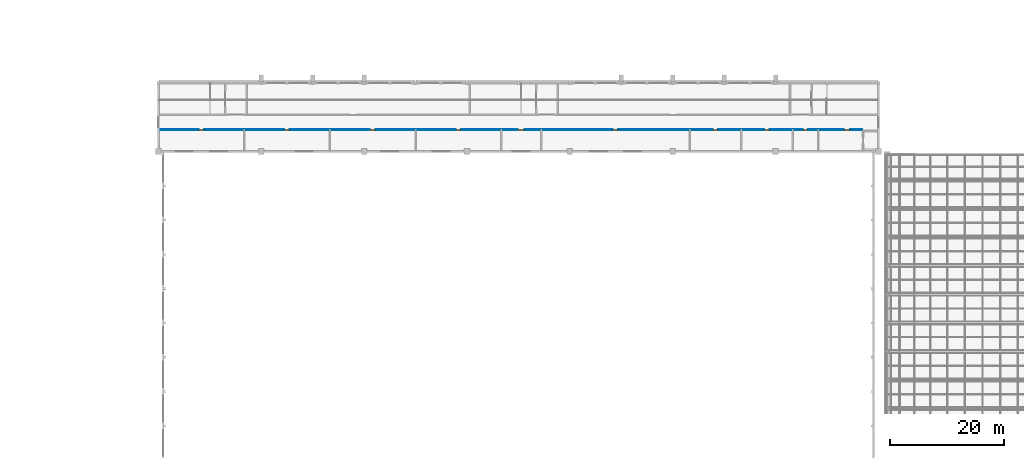
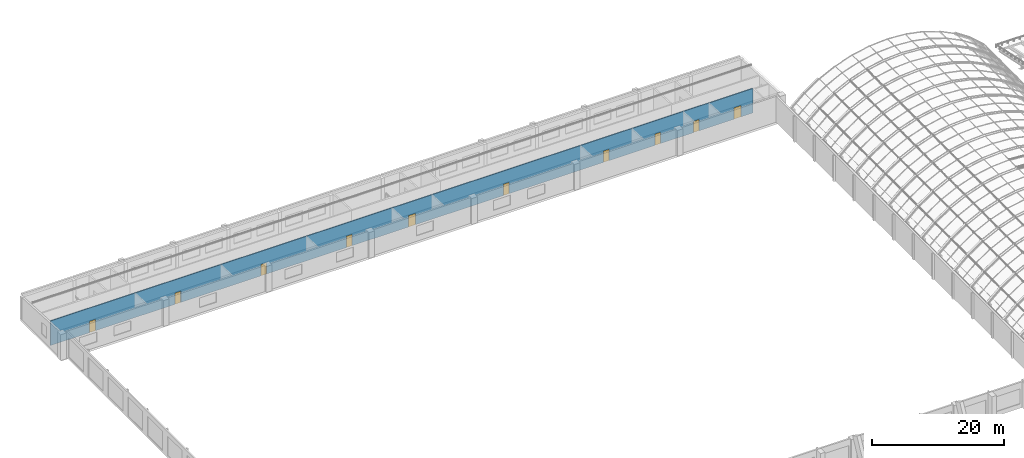
# One storey, part 140 of 182: 10 doors, 1 wall, 10 openings.
"""IFC4 building model written with IfcOpenShell, lengths in metres."""

import ifcopenshell
import ifcopenshell.guid

model = None  # the IFC model being written
_history = None  # IfcOwnerHistory: only IFC2X3 demands one
_inside = {}  # id of a spatial element -> (the spatial element, [elements in it])
_under = {}  # id of a project, library or spatial element -> (it, [spatial elements below it])
_declared = {}  # id of a project -> (the project, [libraries it declares])
_typed = {}  # id of a type object -> (the type object, [elements of that type])
_made_of = {}  # id of a material, layer set ... -> (it, [elements and type objects made of it])


def new_model(schema):
    """Start an empty IFC model of exactly this schema.

    Asked for "IFC4X3", IfcOpenShell would pick the latest addendum, in which some entities
    have other attributes; the version numbers below select the first issue.
    IFC2X3 requires an IfcOwnerHistory on every rooted entity: one is made here for all.
    """
    global model, _history
    if schema == "IFC4X3":
        model = ifcopenshell.file(schema_version=(4, 3, 0, 0))
    else:
        model = ifcopenshell.file(schema=schema)
    _inside.clear()
    _under.clear()
    _declared.clear()
    _typed.clear()
    _made_of.clear()
    _history = None
    if model.schema == "IFC2X3":
        org = make("IfcOrganization", Name="unknown")
        user = make(
            "IfcPersonAndOrganization",
            ThePerson=make("IfcPerson", FamilyName="unknown"),
            TheOrganization=org,
        )
        app = make(
            "IfcApplication",
            ApplicationDeveloper=org,
            Version="unknown",
            ApplicationFullName="unknown",
            ApplicationIdentifier="unknown",
        )
        _history = make(
            "IfcOwnerHistory",
            OwningUser=user,
            OwningApplication=app,
            ChangeAction="ADDED",
            CreationDate=0,
        )
    return model


def make(cls, **values):
    """One entity of the class cls with the attributes given. An attribute that is None is left unset."""
    return model.create_entity(
        cls, **{name: value for name, value in values.items() if value is not None}
    )


def rooted(cls, **values):
    """An entity with a GlobalId (a new one), such as an element, a storey or a relation."""
    return make(cls, GlobalId=ifcopenshell.guid.new(), OwnerHistory=_history, **values)


def si_unit(unit_type, name, prefix=None):
    """IfcSIUnit, for example si_unit("LENGTHUNIT", "METRE", prefix="MILLI")."""
    return make("IfcSIUnit", UnitType=unit_type, Prefix=prefix, Name=name)


def assignment(units):
    """IfcUnitAssignment: the units of a project."""
    return None if units is None else make("IfcUnitAssignment", Units=units)


def point(xyz):
    """IfcCartesianPoint."""
    return None if xyz is None else make("IfcCartesianPoint", Coordinates=xyz)


def direction(xyz):
    """IfcDirection."""
    return None if xyz is None else make("IfcDirection", DirectionRatios=xyz)


def frame(location, z_axis=None, x_axis=None):
    """IfcAxis2Placement3D, a coordinate frame: its origin and axes. An axis left out is left unset."""
    return make(
        "IfcAxis2Placement3D",
        Location=point(location),
        Axis=direction(z_axis),
        RefDirection=direction(x_axis),
    )


def frame_2d(location, x_axis=None):
    """IfcAxis2Placement2D, a coordinate frame in the plane: its origin and x axis."""
    return make(
        "IfcAxis2Placement2D", Location=point(location), RefDirection=direction(x_axis)
    )


def origin():
    """The frame at (0, 0, 0) with its axes left unset."""
    return frame((0.0, 0.0, 0.0))


def place(relative_to, where):
    """IfcLocalPlacement: puts the frame where relative to a parent placement (None: the world)."""
    return make(
        "IfcLocalPlacement", PlacementRelTo=relative_to, RelativePlacement=where
    )


def context(
    kind, dimensions, precision=None, world=None, true_north=None, identifier=None
):
    """IfcGeometricRepresentationContext, for example the 3D "Model" context."""
    return make(
        "IfcGeometricRepresentationContext",
        ContextIdentifier=identifier,
        ContextType=kind,
        CoordinateSpaceDimension=dimensions,
        Precision=precision,
        WorldCoordinateSystem=world,
        TrueNorth=true_north,
    )


def subcontext(parent, identifier, kind, view, scale=None):
    """IfcGeometricRepresentationSubContext, for example "Body" below "Model"."""
    return make(
        "IfcGeometricRepresentationSubContext",
        ContextIdentifier=identifier,
        ContextType=kind,
        ParentContext=parent,
        TargetScale=scale,
        TargetView=view,
    )


def project(units=None, contexts=None):
    """IfcProject with its units and contexts."""
    return rooted(
        "IfcProject",
        Name="project",
        RepresentationContexts=contexts,
        UnitsInContext=assignment(units),
    )


def spatial(cls, under=None, at=None, **own):
    """A site, building, storey or space (cls), placed at a placement, below another one or the project."""
    s = rooted(cls, ObjectPlacement=at, **own)
    if under is not None:
        _under.setdefault(under.id(), (under, []))[1].append(s)
    return s


def profile(cls, at=None, kind="AREA", **sizes):
    """A parametric profile (cls). Its sizes go by their IFC names, for example OverallWidth=200.0."""
    return make(cls, ProfileType=kind, Position=at, **sizes)


def rectangle(**sizes):
    """IfcRectangleProfileDef."""
    return profile("IfcRectangleProfileDef", **sizes)


def extrude(swept, where, along, depth):
    """IfcExtrudedAreaSolid: the profile swept, set in the frame where, extruded along a direction by depth."""
    return make(
        "IfcExtrudedAreaSolid",
        SweptArea=swept,
        Position=where,
        ExtrudedDirection=direction(along),
        Depth=depth,
    )


def shape(context_of_items, identifier, shape_type, items):
    """IfcShapeRepresentation: the items that make up one representation, for example the "Body"."""
    return make(
        "IfcShapeRepresentation",
        ContextOfItems=context_of_items,
        RepresentationIdentifier=identifier,
        RepresentationType=shape_type,
        Items=items,
    )


def material(Name=None, Category=None):
    """IfcMaterial."""
    return make("IfcMaterial", Name=Name, Category=Category)


def layer(
    of_material, thickness, ventilated=None, Name=None, Category=None, Priority=None
):
    """IfcMaterialLayer: one layer of a wall or slab, of a material (None: an air gap)."""
    return make(
        "IfcMaterialLayer",
        Material=of_material,
        LayerThickness=thickness,
        IsVentilated=ventilated,
        Name=Name,
        Category=Category,
        Priority=Priority,
    )


def layer_set(layers, Name=None):
    """IfcMaterialLayerSet."""
    return make("IfcMaterialLayerSet", MaterialLayers=layers, LayerSetName=Name)


def made_of(thing, what):
    """Note that an element or type object is made of a material, layer set ...; save() writes the relation."""
    if what is not None:
        _made_of.setdefault(what.id(), (what, []))[1].append(thing)
    return thing


def type_object(cls, material=None, **own):
    """A type object (cls), such as IfcWallType, which elements share."""
    return made_of(rooted(cls, **own), material)


def element(
    cls,
    number,
    at=None,
    inside=None,
    cuts=None,
    type_object=None,
    material=None,
    context=None,
    identifier="Body",
    shape_type=None,
    held_by="IfcProductDefinitionShape",
    body=None,
    shapes=None,
    **own,
):
    """One element of the class cls, such as IfcWall. Its Tag is "e" and its number.

    at: its placement. inside: the storey or other place that contains it. cuts: it is an
    opening in that element (IfcRelVoidsElement). A single representation is given by context,
    identifier, shape_type and body (its items); several are given by shapes. held_by: the class
    of the entity that holds the representations. save() writes the other relations.
    """
    e = rooted(cls, Tag="e%d" % number, ObjectPlacement=at, **own)
    if body is not None:
        shapes = [shape(context, identifier, shape_type, body)]
    if shapes is not None:
        e.Representation = make(held_by, Representations=shapes)
    if inside is not None:
        _inside.setdefault(inside.id(), (inside, []))[1].append(e)
    if cuts is not None:
        rooted(
            "IfcRelVoidsElement", RelatingBuildingElement=cuts, RelatedOpeningElement=e
        )
    if type_object is not None:
        _typed.setdefault(type_object.id(), (type_object, []))[1].append(e)
    return made_of(e, material)


def fill(opening, filler):
    """IfcRelFillsElement: the door or window that sits in an opening."""
    return rooted(
        "IfcRelFillsElement",
        RelatingOpeningElement=opening,
        RelatedBuildingElement=filler,
    )


def aggregate(whole, parts):
    """IfcRelAggregates: a whole, such as a stair, and the parts it consists of."""
    return rooted("IfcRelAggregates", RelatingObject=whole, RelatedObjects=parts)


def save(model, path):
    """Write the relations noted so far, then the file.

    IfcRelAggregates (storeys below a building ...), IfcRelContainedInSpatialStructure (elements
    in a storey), IfcRelDefinesByType, IfcRelAssociatesMaterial and IfcRelDeclares: one each for
    every whole, place, type object, material and project.
    """
    for whole, parts in _under.values():
        aggregate(whole, parts)
    for where, things in _inside.values():
        rooted(
            "IfcRelContainedInSpatialStructure",
            RelatedElements=things,
            RelatingStructure=where,
        )
    for kind, things in _typed.values():
        rooted("IfcRelDefinesByType", RelatedObjects=things, RelatingType=kind)
    for what, things in _made_of.values():
        rooted("IfcRelAssociatesMaterial", RelatedObjects=things, RelatingMaterial=what)
    for by, libraries in _declared.values():
        rooted("IfcRelDeclares", RelatingContext=by, RelatedDefinitions=libraries)
    model.write(path)


model = new_model("IFC4")

# Units and contexts
model_context = context("Model", 3, precision=1e-05, world=origin(), true_north=direction((0.0, 1.0)))
body_context = subcontext(model_context, "Body", "Model", "MODEL_VIEW")
ifc_project = project(units=[si_unit("LENGTHUNIT", "METRE"), si_unit("AREAUNIT", "SQUARE_METRE"), si_unit("VOLUMEUNIT", "CUBIC_METRE"), si_unit("PLANEANGLEUNIT", "RADIAN"), si_unit("MASSUNIT", "GRAM", prefix="KILO")], contexts=[model_context])

# Site, building, storey
site_placement = place(None, origin())
site = spatial("IfcSite", under=ifc_project, at=site_placement, CompositionType="ELEMENT")
building_placement = place(site_placement, origin())
building = spatial("IfcBuilding", under=site, at=building_placement, Name="Okhra Congress Centre", CompositionType="ELEMENT")
storey_placement = place(building_placement, frame((0.0, 0.0, 7.199951171875)))
storey = spatial("IfcBuildingStorey", under=building, at=storey_placement, Name="L01", CompositionType="ELEMENT", Elevation=7.199951171875)

# Wall, openings, doors
ifc_material_1 = material(Name="Gypsum board on steel studs", Category="steel")
ifc_layer = layer(ifc_material_1, 0.14990234375)
ifc_layer_set = layer_set([ifc_layer], Name="Partition 150 EI 15")
wall_type = type_object("IfcWallType", Name="Partition 150 EI 15", PredefinedType="PARTITIONING", material=ifc_layer_set)
wall_placement = place(storey_placement, frame((28.175048828125, 219.800048828125, 0.0), z_axis=(0.0, 0.0, 1.0), x_axis=(1.0, 0.0, 0.0)))
wall = element("IfcWall", 1, at=wall_placement, inside=storey, type_object=wall_type, Name="EH.WALL.L01.66", PredefinedType="PARTITIONING", context=body_context, shape_type="SweptSolid", body=[
    extrude(rectangle(XDim=123.0, YDim=0.14990234375, at=frame_2d((61.5, 0.0))), origin(), (0.0, 0.0, 1.0), 4.546875),
])
opening_1_placement = place(wall_placement, frame((6.862548828125, 0.0, 0.0)))
opening_1 = element("IfcOpeningElement", 2, at=opening_1_placement, cuts=wall, Name="Opening L01-008", PredefinedType="OPENING", context=body_context, shape_type="SweptSolid", body=[
    extrude(rectangle(XDim=1.0, YDim=2.10009765625, at=frame_2d((0.5, 1.050048828125))), frame((0.0, 0.0849609375, 0.0), z_axis=(0.0, -1.0, 0.0), x_axis=(1.0, 0.0, 0.0)), (0.0, 0.0, 1.0), 0.169921875),
])
opening_2_placement = place(wall_placement, frame((21.824951171875, 0.0, 0.0)))
opening_2 = element("IfcOpeningElement", 3, at=opening_2_placement, cuts=wall, Name="Opening L01-009", PredefinedType="OPENING", context=body_context, shape_type="SweptSolid", body=[
    extrude(rectangle(XDim=1.0, YDim=2.10009765625, at=frame_2d((0.5, 1.050048828125))), frame((0.0, 0.0849609375, 0.0), z_axis=(0.0, -1.0, 0.0), x_axis=(1.0, 0.0, 0.0)), (0.0, 0.0, 1.0), 0.169921875),
])
opening_3_placement = place(wall_placement, frame((36.824951171875, 0.0, 0.0)))
opening_3 = element("IfcOpeningElement", 4, at=opening_3_placement, cuts=wall, Name="Opening L01-010", PredefinedType="OPENING", context=body_context, shape_type="SweptSolid", body=[
    extrude(rectangle(XDim=1.0, YDim=2.10009765625, at=frame_2d((0.5, 1.050048828125))), frame((0.0, 0.0849609375, 0.0), z_axis=(0.0, -1.0, 0.0), x_axis=(1.0, 0.0, 0.0)), (0.0, 0.0, 1.0), 0.169921875),
])
opening_4_placement = place(wall_placement, frame((51.824951171875, 0.0, 0.0)))
opening_4 = element("IfcOpeningElement", 5, at=opening_4_placement, cuts=wall, Name="Opening L01-011", PredefinedType="OPENING", context=body_context, shape_type="SweptSolid", body=[
    extrude(rectangle(XDim=1.0, YDim=2.10009765625, at=frame_2d((0.5, 1.050048828125))), frame((0.0, 0.0849609375, 0.0), z_axis=(0.0, -1.0, 0.0), x_axis=(1.0, 0.0, 0.0)), (0.0, 0.0, 1.0), 0.169921875),
])
opening_5_placement = place(wall_placement, frame((62.72509765625, 0.0, 0.0)))
opening_5 = element("IfcOpeningElement", 6, at=opening_5_placement, cuts=wall, Name="Opening L01-012", PredefinedType="OPENING", context=body_context, shape_type="SweptSolid", body=[
    extrude(rectangle(XDim=1.199951171875, YDim=2.10009765625, at=frame_2d((0.60009765625, 1.050048828125))), frame((0.0, 0.0849609375, 0.0), z_axis=(0.0, -1.0, 0.0), x_axis=(1.0, 0.0, 0.0)), (0.0, 0.0, 1.0), 0.169921875),
])
opening_6_placement = place(wall_placement, frame((79.324951171875, 0.0, 0.0)))
opening_6 = element("IfcOpeningElement", 7, at=opening_6_placement, cuts=wall, Name="Opening L01-013", PredefinedType="OPENING", context=body_context, shape_type="SweptSolid", body=[
    extrude(rectangle(XDim=1.0, YDim=2.10009765625, at=frame_2d((0.5, 1.050048828125))), frame((0.0, 0.0849609375, 0.0), z_axis=(0.0, -1.0, 0.0), x_axis=(1.0, 0.0, 0.0)), (0.0, 0.0, 1.0), 0.169921875),
])
opening_7_placement = place(wall_placement, frame((96.824951171875, 0.0, 0.0)))
opening_7 = element("IfcOpeningElement", 8, at=opening_7_placement, cuts=wall, Name="Opening L01-014", PredefinedType="OPENING", context=body_context, shape_type="SweptSolid", body=[
    extrude(rectangle(XDim=1.0, YDim=2.10009765625, at=frame_2d((0.5, 1.050048828125))), frame((0.0, 0.0849609375, 0.0), z_axis=(0.0, -1.0, 0.0), x_axis=(1.0, 0.0, 0.0)), (0.0, 0.0, 1.0), 0.169921875),
])
opening_8_placement = place(wall_placement, frame((105.824951171875, 0.0, 0.0)))
opening_8 = element("IfcOpeningElement", 9, at=opening_8_placement, cuts=wall, Name="Opening L01-015", PredefinedType="OPENING", context=body_context, shape_type="SweptSolid", body=[
    extrude(rectangle(XDim=1.0, YDim=2.10009765625, at=frame_2d((0.5, 1.050048828125))), frame((0.0, 0.0849609375, 0.0), z_axis=(0.0, -1.0, 0.0), x_axis=(1.0, 0.0, 0.0)), (0.0, 0.0, 1.0), 0.169921875),
])
opening_9_placement = place(wall_placement, frame((112.574951171875, 0.0, 0.0)))
opening_9 = element("IfcOpeningElement", 10, at=opening_9_placement, cuts=wall, Name="Opening L01-016", PredefinedType="OPENING", context=body_context, shape_type="SweptSolid", body=[
    extrude(rectangle(XDim=1.0, YDim=2.10009765625, at=frame_2d((0.5, 1.050048828125))), frame((0.0, 0.0849609375, 0.0), z_axis=(0.0, -1.0, 0.0), x_axis=(1.0, 0.0, 0.0)), (0.0, 0.0, 1.0), 0.169921875),
])
opening_10_placement = place(wall_placement, frame((119.72509765625, 0.0, 0.0)))
opening_10 = element("IfcOpeningElement", 11, at=opening_10_placement, cuts=wall, Name="Opening L01-017", PredefinedType="OPENING", context=body_context, shape_type="SweptSolid", body=[
    extrude(rectangle(XDim=1.199951171875, YDim=2.10009765625, at=frame_2d((0.60009765625, 1.050048828125))), frame((0.0, 0.0849609375, 0.0), z_axis=(0.0, -1.0, 0.0), x_axis=(1.0, 0.0, 0.0)), (0.0, 0.0, 1.0), 0.169921875),
])
ifc_material_2 = material(Name="Timber door leaf in steel frame", Category="steel")
door_type_1 = type_object("IfcDoorType", Name="Single swing door 1000x2100", OperationType="NOTDEFINED", PredefinedType="DOOR", material=ifc_material_2)
door_1_placement = place(opening_1_placement, frame((1.0, 0.0, 0.0), z_axis=(0.0, 0.0, 1.0), x_axis=(-1.0, 0.0, 0.0)))
door_1 = element("IfcDoor", 12, at=door_1_placement, inside=storey, type_object=door_type_1, Name="Door L01-008", OperationType="SINGLE_SWING_LEFT", OverallHeight=2.10009765625, OverallWidth=1.0, PredefinedType="DOOR", context=body_context, shape_type="SweptSolid", body=[
    extrude(rectangle(XDim=1.0, YDim=2.10009765625, at=frame_2d((0.5, 1.050048828125))), frame((0.0, 0.02490234375, 0.0), z_axis=(0.0, -1.0, 0.0), x_axis=(1.0, 0.0, 0.0)), (0.0, 0.0, 1.0), 0.050048828125),
])
fill(opening_1, door_1)
door_2_placement = place(opening_2_placement, frame((1.0, 0.0, 0.0), z_axis=(0.0, 0.0, 1.0), x_axis=(-1.0, 0.0, 0.0)))
door_2 = element("IfcDoor", 13, at=door_2_placement, inside=storey, type_object=door_type_1, Name="Door L01-009", OperationType="SINGLE_SWING_RIGHT", OverallHeight=2.10009765625, OverallWidth=1.0, PredefinedType="DOOR", context=body_context, shape_type="SweptSolid", body=[
    extrude(rectangle(XDim=1.0, YDim=2.10009765625, at=frame_2d((0.5, 1.050048828125))), frame((0.0, 0.02490234375, 0.0), z_axis=(0.0, -1.0, 0.0), x_axis=(1.0, 0.0, 0.0)), (0.0, 0.0, 1.0), 0.050048828125),
])
fill(opening_2, door_2)
door_3_placement = place(opening_3_placement, frame((1.0, 0.0, 0.0), z_axis=(0.0, 0.0, 1.0), x_axis=(-1.0, 0.0, 0.0)))
door_3 = element("IfcDoor", 14, at=door_3_placement, inside=storey, type_object=door_type_1, Name="Door L01-010", OperationType="SINGLE_SWING_LEFT", OverallHeight=2.10009765625, OverallWidth=1.0, PredefinedType="DOOR", context=body_context, shape_type="SweptSolid", body=[
    extrude(rectangle(XDim=1.0, YDim=2.10009765625, at=frame_2d((0.5, 1.050048828125))), frame((0.0, 0.02490234375, 0.0), z_axis=(0.0, -1.0, 0.0), x_axis=(1.0, 0.0, 0.0)), (0.0, 0.0, 1.0), 0.050048828125),
])
fill(opening_3, door_3)
door_4_placement = place(opening_4_placement, frame((1.0, 0.0, 0.0), z_axis=(0.0, 0.0, 1.0), x_axis=(-1.0, 0.0, 0.0)))
door_4 = element("IfcDoor", 15, at=door_4_placement, inside=storey, type_object=door_type_1, Name="Door L01-011", OperationType="SINGLE_SWING_RIGHT", OverallHeight=2.10009765625, OverallWidth=1.0, PredefinedType="DOOR", context=body_context, shape_type="SweptSolid", body=[
    extrude(rectangle(XDim=1.0, YDim=2.10009765625, at=frame_2d((0.5, 1.050048828125))), frame((0.0, 0.02490234375, 0.0), z_axis=(0.0, -1.0, 0.0), x_axis=(1.0, 0.0, 0.0)), (0.0, 0.0, 1.0), 0.050048828125),
])
fill(opening_4, door_4)
door_5_placement = place(opening_6_placement, frame((1.0, 0.0, 0.0), z_axis=(0.0, 0.0, 1.0), x_axis=(-1.0, 0.0, 0.0)))
door_5 = element("IfcDoor", 16, at=door_5_placement, inside=storey, type_object=door_type_1, Name="Door L01-013", OperationType="SINGLE_SWING_RIGHT", OverallHeight=2.10009765625, OverallWidth=1.0, PredefinedType="DOOR", context=body_context, shape_type="SweptSolid", body=[
    extrude(rectangle(XDim=1.0, YDim=2.10009765625, at=frame_2d((0.5, 1.050048828125))), frame((0.0, 0.02490234375, 0.0), z_axis=(0.0, -1.0, 0.0), x_axis=(1.0, 0.0, 0.0)), (0.0, 0.0, 1.0), 0.050048828125),
])
fill(opening_6, door_5)
door_6_placement = place(opening_7_placement, frame((1.0, 0.0, 0.0), z_axis=(0.0, 0.0, 1.0), x_axis=(-1.0, 0.0, 0.0)))
door_6 = element("IfcDoor", 17, at=door_6_placement, inside=storey, type_object=door_type_1, Name="Door L01-014", OperationType="SINGLE_SWING_LEFT", OverallHeight=2.10009765625, OverallWidth=1.0, PredefinedType="DOOR", context=body_context, shape_type="SweptSolid", body=[
    extrude(rectangle(XDim=1.0, YDim=2.10009765625, at=frame_2d((0.5, 1.050048828125))), frame((0.0, 0.02490234375, 0.0), z_axis=(0.0, -1.0, 0.0), x_axis=(1.0, 0.0, 0.0)), (0.0, 0.0, 1.0), 0.050048828125),
])
fill(opening_7, door_6)
door_7_placement = place(opening_8_placement, frame((1.0, 0.0, 0.0), z_axis=(0.0, 0.0, 1.0), x_axis=(-1.0, 0.0, 0.0)))
door_7 = element("IfcDoor", 18, at=door_7_placement, inside=storey, type_object=door_type_1, Name="Door L01-015", OperationType="SINGLE_SWING_RIGHT", OverallHeight=2.10009765625, OverallWidth=1.0, PredefinedType="DOOR", context=body_context, shape_type="SweptSolid", body=[
    extrude(rectangle(XDim=1.0, YDim=2.10009765625, at=frame_2d((0.5, 1.050048828125))), frame((0.0, 0.02490234375, 0.0), z_axis=(0.0, -1.0, 0.0), x_axis=(1.0, 0.0, 0.0)), (0.0, 0.0, 1.0), 0.050048828125),
])
fill(opening_8, door_7)
door_8_placement = place(opening_9_placement, frame((1.0, 0.0, 0.0), z_axis=(0.0, 0.0, 1.0), x_axis=(-1.0, 0.0, 0.0)))
door_8 = element("IfcDoor", 19, at=door_8_placement, inside=storey, type_object=door_type_1, Name="Door L01-016", OperationType="SINGLE_SWING_LEFT", OverallHeight=2.10009765625, OverallWidth=1.0, PredefinedType="DOOR", context=body_context, shape_type="SweptSolid", body=[
    extrude(rectangle(XDim=1.0, YDim=2.10009765625, at=frame_2d((0.5, 1.050048828125))), frame((0.0, 0.02490234375, 0.0), z_axis=(0.0, -1.0, 0.0), x_axis=(1.0, 0.0, 0.0)), (0.0, 0.0, 1.0), 0.050048828125),
])
fill(opening_9, door_8)
door_type_2 = type_object("IfcDoorType", Name="Single swing door 1200x2100", OperationType="NOTDEFINED", PredefinedType="DOOR", material=ifc_material_2)
door_9_placement = place(opening_5_placement, frame((1.199951171875, 0.0, 0.0), z_axis=(0.0, 0.0, 1.0), x_axis=(-1.0, 0.0, 0.0)))
door_9 = element("IfcDoor", 20, at=door_9_placement, inside=storey, type_object=door_type_2, Name="Door L01-012", OperationType="SINGLE_SWING_LEFT", OverallHeight=2.10009765625, OverallWidth=1.199951171875, PredefinedType="DOOR", context=body_context, shape_type="SweptSolid", body=[
    extrude(rectangle(XDim=1.199951171875, YDim=2.10009765625, at=frame_2d((0.60009765625, 1.050048828125))), frame((0.0, 0.02490234375, 0.0), z_axis=(0.0, -1.0, 0.0), x_axis=(1.0, 0.0, 0.0)), (0.0, 0.0, 1.0), 0.050048828125),
])
fill(opening_5, door_9)
door_10_placement = place(opening_10_placement, frame((1.199951171875, 0.0, 0.0), z_axis=(0.0, 0.0, 1.0), x_axis=(-1.0, 0.0, 0.0)))
door_10 = element("IfcDoor", 21, at=door_10_placement, inside=storey, type_object=door_type_2, Name="Door L01-017", OperationType="SINGLE_SWING_RIGHT", OverallHeight=2.10009765625, OverallWidth=1.199951171875, PredefinedType="DOOR", context=body_context, shape_type="SweptSolid", body=[
    extrude(rectangle(XDim=1.199951171875, YDim=2.10009765625, at=frame_2d((0.60009765625, 1.050048828125))), frame((0.0, 0.02490234375, 0.0), z_axis=(0.0, -1.0, 0.0), x_axis=(1.0, 0.0, 0.0)), (0.0, 0.0, 1.0), 0.050048828125),
])
fill(opening_10, door_10)

save(model, "model.ifc")
